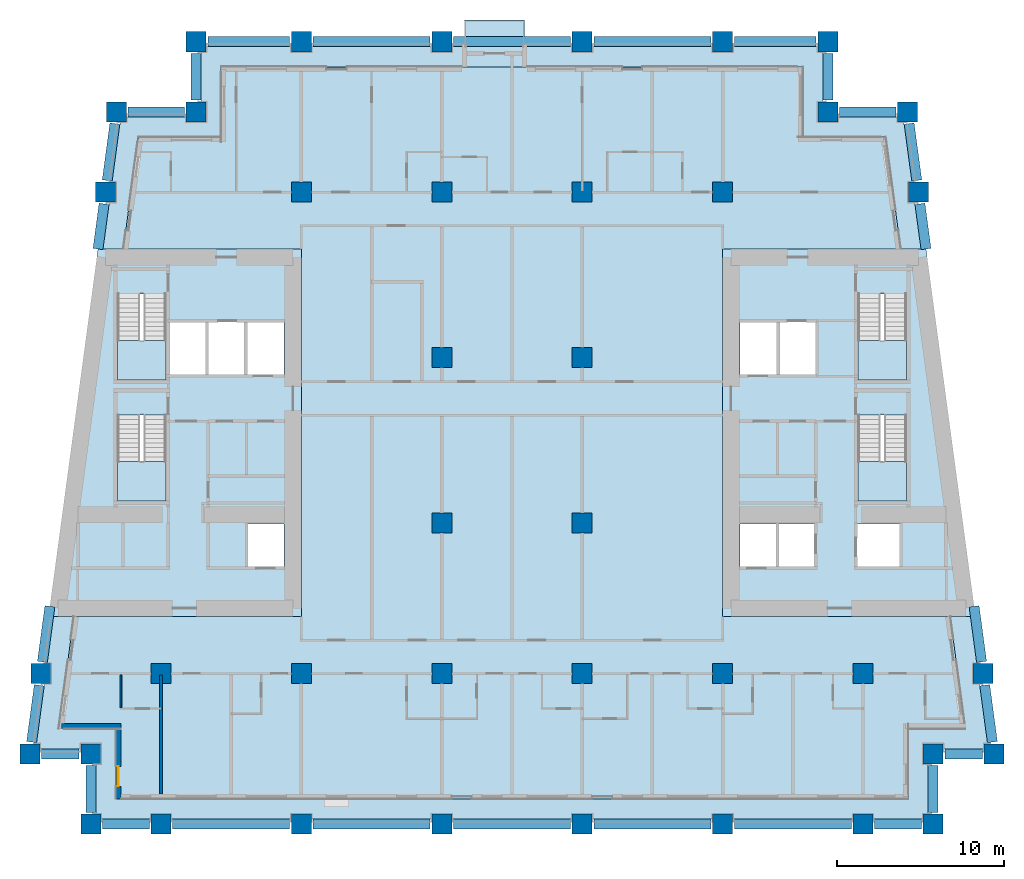
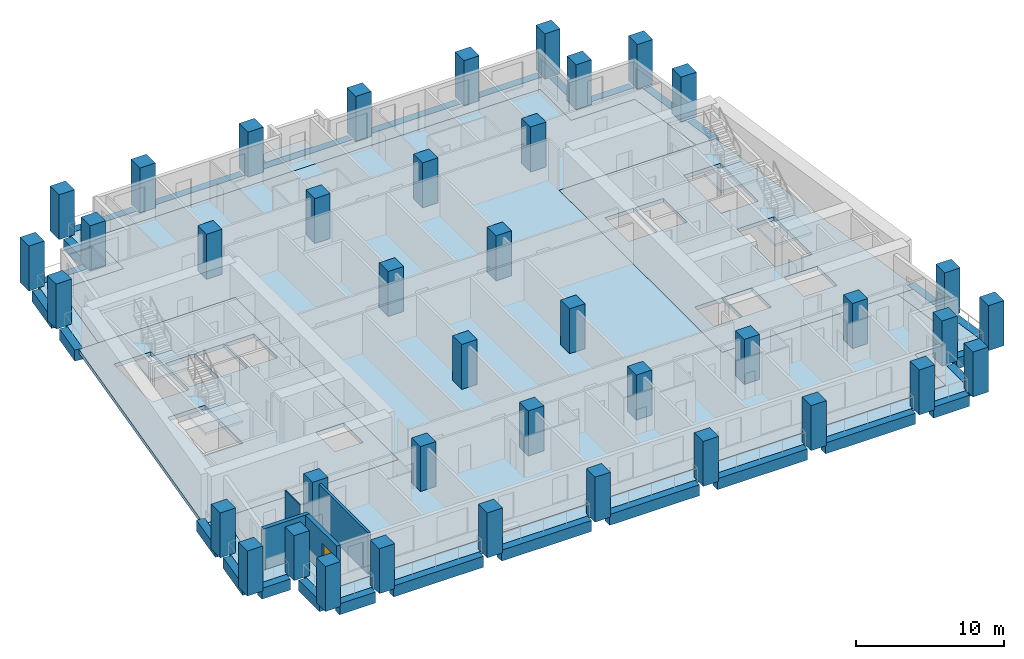
# One storey, part 1 of 13: 40 columns, 28 beams, 10 slabs, 4 walls, 1 door, 1 opening, 4 elements without a shape of their own.
"""IFC4 building model written with IfcOpenShell, lengths in metres."""

import ifcopenshell
import ifcopenshell.guid

model = None  # the IFC model being written
_history = None  # IfcOwnerHistory: only IFC2X3 demands one
_inside = {}  # id of a spatial element -> (the spatial element, [elements in it])
_under = {}  # id of a project, library or spatial element -> (it, [spatial elements below it])
_declared = {}  # id of a project -> (the project, [libraries it declares])
_typed = {}  # id of a type object -> (the type object, [elements of that type])
_made_of = {}  # id of a material, layer set ... -> (it, [elements and type objects made of it])


def new_model(schema):
    """Start an empty IFC model of exactly this schema.

    Asked for "IFC4X3", IfcOpenShell would pick the latest addendum, in which some entities
    have other attributes; the version numbers below select the first issue.
    IFC2X3 requires an IfcOwnerHistory on every rooted entity: one is made here for all.
    """
    global model, _history
    if schema == "IFC4X3":
        model = ifcopenshell.file(schema_version=(4, 3, 0, 0))
    else:
        model = ifcopenshell.file(schema=schema)
    _inside.clear()
    _under.clear()
    _declared.clear()
    _typed.clear()
    _made_of.clear()
    _history = None
    if model.schema == "IFC2X3":
        org = make("IfcOrganization", Name="unknown")
        user = make(
            "IfcPersonAndOrganization",
            ThePerson=make("IfcPerson", FamilyName="unknown"),
            TheOrganization=org,
        )
        app = make(
            "IfcApplication",
            ApplicationDeveloper=org,
            Version="unknown",
            ApplicationFullName="unknown",
            ApplicationIdentifier="unknown",
        )
        _history = make(
            "IfcOwnerHistory",
            OwningUser=user,
            OwningApplication=app,
            ChangeAction="ADDED",
            CreationDate=0,
        )
    return model


def make(cls, **values):
    """One entity of the class cls with the attributes given. An attribute that is None is left unset."""
    return model.create_entity(
        cls, **{name: value for name, value in values.items() if value is not None}
    )


def rooted(cls, **values):
    """An entity with a GlobalId (a new one), such as an element, a storey or a relation."""
    return make(cls, GlobalId=ifcopenshell.guid.new(), OwnerHistory=_history, **values)


def si_unit(unit_type, name, prefix=None):
    """IfcSIUnit, for example si_unit("LENGTHUNIT", "METRE", prefix="MILLI")."""
    return make("IfcSIUnit", UnitType=unit_type, Prefix=prefix, Name=name)


def assignment(units):
    """IfcUnitAssignment: the units of a project."""
    return None if units is None else make("IfcUnitAssignment", Units=units)


def point(xyz):
    """IfcCartesianPoint."""
    return None if xyz is None else make("IfcCartesianPoint", Coordinates=xyz)


def direction(xyz):
    """IfcDirection."""
    return None if xyz is None else make("IfcDirection", DirectionRatios=xyz)


def frame(location, z_axis=None, x_axis=None):
    """IfcAxis2Placement3D, a coordinate frame: its origin and axes. An axis left out is left unset."""
    return make(
        "IfcAxis2Placement3D",
        Location=point(location),
        Axis=direction(z_axis),
        RefDirection=direction(x_axis),
    )


def frame_2d(location, x_axis=None):
    """IfcAxis2Placement2D, a coordinate frame in the plane: its origin and x axis."""
    return make(
        "IfcAxis2Placement2D", Location=point(location), RefDirection=direction(x_axis)
    )


def origin():
    """The frame at (0, 0, 0) with its axes left unset."""
    return frame((0.0, 0.0, 0.0))


def origin_2d():
    """The frame at (0, 0) in the plane with its x axis left unset."""
    return frame_2d((0.0, 0.0))


def place(relative_to, where):
    """IfcLocalPlacement: puts the frame where relative to a parent placement (None: the world)."""
    return make(
        "IfcLocalPlacement", PlacementRelTo=relative_to, RelativePlacement=where
    )


def context(
    kind, dimensions, precision=None, world=None, true_north=None, identifier=None
):
    """IfcGeometricRepresentationContext, for example the 3D "Model" context."""
    return make(
        "IfcGeometricRepresentationContext",
        ContextIdentifier=identifier,
        ContextType=kind,
        CoordinateSpaceDimension=dimensions,
        Precision=precision,
        WorldCoordinateSystem=world,
        TrueNorth=true_north,
    )


def subcontext(parent, identifier, kind, view, scale=None):
    """IfcGeometricRepresentationSubContext, for example "Body" below "Model"."""
    return make(
        "IfcGeometricRepresentationSubContext",
        ContextIdentifier=identifier,
        ContextType=kind,
        ParentContext=parent,
        TargetScale=scale,
        TargetView=view,
    )


def project(units=None, contexts=None):
    """IfcProject with its units and contexts."""
    return rooted(
        "IfcProject",
        Name="project",
        RepresentationContexts=contexts,
        UnitsInContext=assignment(units),
    )


def spatial(cls, under=None, at=None, **own):
    """A site, building, storey or space (cls), placed at a placement, below another one or the project."""
    s = rooted(cls, ObjectPlacement=at, **own)
    if under is not None:
        _under.setdefault(under.id(), (under, []))[1].append(s)
    return s


def polyline(points):
    """IfcPolyline through the points."""
    return make("IfcPolyline", Points=[point(p) for p in points])


def profile(cls, at=None, kind="AREA", **sizes):
    """A parametric profile (cls). Its sizes go by their IFC names, for example OverallWidth=200.0."""
    return make(cls, ProfileType=kind, Position=at, **sizes)


def rectangle(**sizes):
    """IfcRectangleProfileDef."""
    return profile("IfcRectangleProfileDef", **sizes)


def outline(outer, holes=None, kind="AREA"):
    """IfcArbitraryClosedProfileDef: a profile drawn as a closed curve; with holes, ...WithVoids."""
    if holes is None:
        return make("IfcArbitraryClosedProfileDef", ProfileType=kind, OuterCurve=outer)
    return make(
        "IfcArbitraryProfileDefWithVoids",
        ProfileType=kind,
        OuterCurve=outer,
        InnerCurves=holes,
    )


def extrude(swept, where, along, depth):
    """IfcExtrudedAreaSolid: the profile swept, set in the frame where, extruded along a direction by depth."""
    return make(
        "IfcExtrudedAreaSolid",
        SweptArea=swept,
        Position=where,
        ExtrudedDirection=direction(along),
        Depth=depth,
    )


def shape(context_of_items, identifier, shape_type, items):
    """IfcShapeRepresentation: the items that make up one representation, for example the "Body"."""
    return make(
        "IfcShapeRepresentation",
        ContextOfItems=context_of_items,
        RepresentationIdentifier=identifier,
        RepresentationType=shape_type,
        Items=items,
    )


def material(Name=None, Category=None):
    """IfcMaterial."""
    return make("IfcMaterial", Name=Name, Category=Category)


def layer(
    of_material, thickness, ventilated=None, Name=None, Category=None, Priority=None
):
    """IfcMaterialLayer: one layer of a wall or slab, of a material (None: an air gap)."""
    return make(
        "IfcMaterialLayer",
        Material=of_material,
        LayerThickness=thickness,
        IsVentilated=ventilated,
        Name=Name,
        Category=Category,
        Priority=Priority,
    )


def layer_set(layers, Name=None):
    """IfcMaterialLayerSet."""
    return make("IfcMaterialLayerSet", MaterialLayers=layers, LayerSetName=Name)


def material_profile(
    of_material, cross_section, Name=None, Category=None, Priority=None
):
    """IfcMaterialProfile: a cross section and its material."""
    return make(
        "IfcMaterialProfile",
        Name=Name,
        Material=of_material,
        Profile=cross_section,
        Priority=Priority,
        Category=Category,
    )


def profile_set(profiles, Name=None, composite=None):
    """IfcMaterialProfileSet."""
    return make(
        "IfcMaterialProfileSet",
        Name=Name,
        MaterialProfiles=profiles,
        CompositeProfile=composite,
    )


def made_of(thing, what):
    """Note that an element or type object is made of a material, layer set ...; save() writes the relation."""
    if what is not None:
        _made_of.setdefault(what.id(), (what, []))[1].append(thing)
    return thing


def type_object(cls, material=None, **own):
    """A type object (cls), such as IfcWallType, which elements share."""
    return made_of(rooted(cls, **own), material)


def element(
    cls,
    number,
    at=None,
    inside=None,
    cuts=None,
    type_object=None,
    material=None,
    context=None,
    identifier="Body",
    shape_type=None,
    held_by="IfcProductDefinitionShape",
    body=None,
    shapes=None,
    **own,
):
    """One element of the class cls, such as IfcWall. Its Tag is "e" and its number.

    at: its placement. inside: the storey or other place that contains it. cuts: it is an
    opening in that element (IfcRelVoidsElement). A single representation is given by context,
    identifier, shape_type and body (its items); several are given by shapes. held_by: the class
    of the entity that holds the representations. save() writes the other relations.
    """
    e = rooted(cls, Tag="e%d" % number, ObjectPlacement=at, **own)
    if body is not None:
        shapes = [shape(context, identifier, shape_type, body)]
    if shapes is not None:
        e.Representation = make(held_by, Representations=shapes)
    if inside is not None:
        _inside.setdefault(inside.id(), (inside, []))[1].append(e)
    if cuts is not None:
        rooted(
            "IfcRelVoidsElement", RelatingBuildingElement=cuts, RelatedOpeningElement=e
        )
    if type_object is not None:
        _typed.setdefault(type_object.id(), (type_object, []))[1].append(e)
    return made_of(e, material)


def fill(opening, filler):
    """IfcRelFillsElement: the door or window that sits in an opening."""
    return rooted(
        "IfcRelFillsElement",
        RelatingOpeningElement=opening,
        RelatedBuildingElement=filler,
    )


def aggregate(whole, parts):
    """IfcRelAggregates: a whole, such as a stair, and the parts it consists of."""
    return rooted("IfcRelAggregates", RelatingObject=whole, RelatedObjects=parts)


def save(model, path):
    """Write the relations noted so far, then the file.

    IfcRelAggregates (storeys below a building ...), IfcRelContainedInSpatialStructure (elements
    in a storey), IfcRelDefinesByType, IfcRelAssociatesMaterial and IfcRelDeclares: one each for
    every whole, place, type object, material and project.
    """
    for whole, parts in _under.values():
        aggregate(whole, parts)
    for where, things in _inside.values():
        rooted(
            "IfcRelContainedInSpatialStructure",
            RelatedElements=things,
            RelatingStructure=where,
        )
    for kind, things in _typed.values():
        rooted("IfcRelDefinesByType", RelatedObjects=things, RelatingType=kind)
    for what, things in _made_of.values():
        rooted("IfcRelAssociatesMaterial", RelatedObjects=things, RelatingMaterial=what)
    for by, libraries in _declared.values():
        rooted("IfcRelDeclares", RelatingContext=by, RelatedDefinitions=libraries)
    model.write(path)


model = new_model("IFC4")

# Units and contexts
model_context = context("Model", 3, precision=1e-05, world=origin(), true_north=direction((0.0, 1.0)))
body_context = subcontext(model_context, "Body", "Model", "MODEL_VIEW")
ifc_project = project(units=[si_unit("LENGTHUNIT", "METRE"), si_unit("AREAUNIT", "SQUARE_METRE"), si_unit("VOLUMEUNIT", "CUBIC_METRE"), si_unit("PLANEANGLEUNIT", "RADIAN"), si_unit("MASSUNIT", "GRAM", prefix="KILO")], contexts=[model_context])

# Site, building, storey
site_placement = place(None, origin())
site = spatial("IfcSite", under=ifc_project, at=site_placement, CompositionType="ELEMENT")
building_placement = place(site_placement, origin())
building = spatial("IfcBuilding", under=site, at=building_placement, Name="Candeia Pilgrim Tower and Theatre", CompositionType="ELEMENT")
storey_placement = place(building_placement, frame((0.0, 0.0, 91.0)))
storey = spatial("IfcBuildingStorey", under=building, at=storey_placement, Name="L20", CompositionType="ELEMENT", Elevation=91.0)

# Columns
ifc_material_1 = material(Name="Concrete C70/85", Category="concrete")
ifc_material_profile_1 = material_profile(ifc_material_1, rectangle(XDim=1.199951171875, YDim=1.199951171875, at=origin_2d()))
ifc_profile_set_1 = profile_set([ifc_material_profile_1], Name="Concrete C70/85")
column_type = type_object("IfcColumnType", Name="RC 1200x1200 C70/85", PredefinedType="COLUMN", material=ifc_profile_set_1)
for number, where, z_axis, x_axis, name in (
    (1, (92.39990234375, 98.0, 0.0), (0.0, 0.0, 1.0), (1.0, 0.0, 0.0), "Column A1"),
    (2, (100.800048828125, 98.0, 0.0), (0.0, 0.0, 1.0), (1.0, 0.0, 0.0), "Column A2"),
    (3, (109.199951171875, 98.0, 0.0), (0.0, 0.0, 1.0), (1.0, 0.0, 0.0), "Column A3"),
    (4, (117.60009765625, 98.0, 0.0), (0.0, 0.0, 1.0), (1.0, 0.0, 0.0), "Column A4"),
    (5, (126.0, 98.0, 0.0), (0.0, 0.0, 1.0), (1.0, 0.0, 0.0), "Column A5"),
    (6, (134.39990234375, 98.0, 0.0), (0.0, 0.0, 1.0), (1.0, 0.0, 0.0), "Column A6"),
    (7, (88.199951171875, 98.0, 0.0), (0.0, 0.0, 1.0), (1.0, 0.0, 0.0), "Column AW"),
    (8, (138.60009765625, 98.0, 0.0), (0.0, 0.0, 1.0), (1.0, 0.0, 0.0), "Column AE"),
    (9, (88.199951171875, 102.199951171875, 0.0), (0.0, 0.0, 1.0), (1.0, 0.0, 0.0), "Column NSW"),
    (10, (138.60009765625, 102.199951171875, 0.0), (0.0, 0.0, 1.0), (1.0, 0.0, 0.0), "Column NSE"),
    (11, (94.5, 140.60009765625, 0.0), (0.0, 0.0, 1.0), (1.0, 0.0, 0.0), "Column NNW"),
    (12, (132.300048828125, 140.60009765625, 0.0), (0.0, 0.0, 1.0), (1.0, 0.0, 0.0), "Column NNE"),
    (13, (84.5654296875, 102.199951171875, 0.0), (0.0, 0.0, 1.0), (1.0, 0.0, 0.0), "Column LSW"),
    (14, (142.234619140625, 102.199951171875, 0.0), (0.0, 0.0, 1.0), (1.0, 0.0, 0.0), "Column LSE"),
    (15, (89.734619140625, 140.60009765625, 0.0), (0.0, 0.0, 1.0), (1.0, 0.0, 0.0), "Column LNW"),
    (16, (137.0654296875, 140.60009765625, 0.0), (0.0, 0.0, 1.0), (1.0, 0.0, 0.0), "Column LNE"),
    (17, (92.39990234375, 107.0, 0.0), (0.0, 0.0, 1.0), (1.0, 0.0, 0.0), "Column B1"),
    (18, (100.800048828125, 107.0, 0.0), (0.0, 0.0, 1.0), (1.0, 0.0, 0.0), "Column B2"),
    (19, (109.199951171875, 107.0, 0.0), (0.0, 0.0, 1.0), (1.0, 0.0, 0.0), "Column B3"),
    (20, (117.60009765625, 107.0, 0.0), (0.0, 0.0, 1.0), (1.0, 0.0, 0.0), "Column B4"),
    (21, (126.0, 107.0, 0.0), (0.0, 0.0, 1.0), (1.0, 0.0, 0.0), "Column B5"),
    (22, (134.39990234375, 107.0, 0.0), (0.0, 0.0, 1.0), (1.0, 0.0, 0.0), "Column B6"),
    (23, (85.21142578125, 107.0, 0.0), (0.0, 0.0, 1.0), (1.0, 0.0, 0.0), "Column BW"),
    (24, (141.58837890625, 107.0, 0.0), (0.0, 0.0, 1.0), (1.0, 0.0, 0.0), "Column BE"),
    (25, (109.199951171875, 116.0, 0.0), (0.0, 0.0, 1.0), (1.0, 0.0, 0.0), "Column C3"),
    (26, (117.60009765625, 116.0, 0.0), (0.0, 0.0, 1.0), (1.0, 0.0, 0.0), "Column C4"),
    (27, (109.199951171875, 125.89990234375, 0.0), (0.0, 0.0, 1.0), (1.0, 0.0, 0.0), "Column D3"),
    (28, (117.60009765625, 125.89990234375, 0.0), (0.0, 0.0, 1.0), (1.0, 0.0, 0.0), "Column D4"),
    (29, (100.800048828125, 135.800048828125, 0.0), (0.0, 0.0, 1.0), (1.0, 0.0, 0.0), "Column E2"),
    (30, (109.199951171875, 135.800048828125, 0.0), (0.0, 0.0, 1.0), (1.0, 0.0, 0.0), "Column E3"),
    (31, (117.60009765625, 135.800048828125, 0.0), (0.0, 0.0, 1.0), (1.0, 0.0, 0.0), "Column E4"),
    (32, (126.0, 135.800048828125, 0.0), (0.0, 0.0, 1.0), (1.0, 0.0, 0.0), "Column E5"),
    (33, (89.08837890625, 135.800048828125, 0.0), (0.0, 0.0, 1.0), (1.0, 0.0, 0.0), "Column EW"),
    (34, (137.71142578125, 135.800048828125, 0.0), (0.0, 0.0, 1.0), (1.0, 0.0, 0.0), "Column EE"),
    (35, (100.800048828125, 144.800048828125, 0.0), (0.0, 0.0, 1.0), (1.0, 0.0, 0.0), "Column F2"),
    (36, (109.199951171875, 144.800048828125, 0.0), (0.0, 0.0, 1.0), (1.0, 0.0, 0.0), "Column F3"),
    (37, (117.60009765625, 144.800048828125, 0.0), (0.0, 0.0, 1.0), (1.0, 0.0, 0.0), "Column F4"),
    (38, (126.0, 144.800048828125, 0.0), (0.0, 0.0, 1.0), (1.0, 0.0, 0.0), "Column F5"),
    (39, (94.5, 144.800048828125, 0.0), (0.0, 0.0, 1.0), (1.0, 0.0, 0.0), "Column FW"),
    (40, (132.300048828125, 144.800048828125, 0.0), (0.0, 0.0, 1.0), (1.0, 0.0, 0.0), "Column FE"),
):
    element("IfcColumn", number, at=place(storey_placement, frame(where, z_axis=z_axis, x_axis=x_axis)), inside=storey, type_object=column_type, Name=name, PredefinedType="COLUMN", context=body_context, shape_type="SweptSolid", body=[
        extrude(rectangle(XDim=1.199951171875, YDim=1.199951171875, at=origin_2d()), origin(), (0.0, 0.0, 1.0), 3.699951171875),
    ])

# Beams
ifc_material_profile_2 = material_profile(ifc_material_1, rectangle(XDim=0.60009765625, YDim=0.89990234375, at=origin_2d()))
ifc_profile_set_2 = profile_set([ifc_material_profile_2], Name="Concrete C70/85")
beam_type = type_object("IfcBeamType", Name="RC 600x900 C70/85", PredefinedType="BEAM", material=ifc_profile_set_2)
beam_1_placement = place(storey_placement, frame((88.89990234375, 98.0, -0.449951171875), z_axis=(1.0, 0.0, 0.0), x_axis=(0.0, 1.0, 0.0)))
element("IfcBeam", 41, at=beam_1_placement, inside=storey, type_object=beam_type, Name="Spandrel beam L20-01", PredefinedType="BEAM", context=body_context, shape_type="SweptSolid", body=[
    extrude(rectangle(XDim=0.60009765625, YDim=0.89990234375, at=origin_2d()), origin(), (0.0, 0.0, 1.0), 2.800048828125),
])
for number, where, z_axis, x_axis, name in (
    (42, (93.10009765625, 98.0, -0.449951171875), (1.0, 0.0, 0.0), (0.0, 1.0, 0.0), "Spandrel beam L20-02"),
    (43, (101.5, 98.0, -0.449951171875), (1.0, 0.0, 0.0), (0.0, 1.0, 0.0), "Spandrel beam L20-03"),
    (44, (109.89990234375, 98.0, -0.449951171875), (1.0, 0.0, 0.0), (0.0, 1.0, 0.0), "Spandrel beam L20-04"),
    (45, (118.300048828125, 98.0, -0.449951171875), (1.0, 0.0, 0.0), (0.0, 1.0, 0.0), "Spandrel beam L20-05"),
    (46, (126.699951171875, 98.0, -0.449951171875), (1.0, 0.0, 0.0), (0.0, 1.0, 0.0), "Spandrel beam L20-06"),
):
    element("IfcBeam", number, at=place(storey_placement, frame(where, z_axis=z_axis, x_axis=x_axis)), inside=storey, type_object=beam_type, Name=name, PredefinedType="BEAM", context=body_context, shape_type="SweptSolid", body=[
        extrude(rectangle(XDim=0.60009765625, YDim=0.89990234375, at=origin_2d()), origin(), (0.0, 0.0, 1.0), 7.0),
    ])
beam_2_placement = place(storey_placement, frame((135.10009765625, 98.0, -0.449951171875), z_axis=(1.0, 0.0, 0.0), x_axis=(0.0, 1.0, 0.0)))
element("IfcBeam", 47, at=beam_2_placement, inside=storey, type_object=beam_type, Name="Spandrel beam L20-07", PredefinedType="BEAM", context=body_context, shape_type="SweptSolid", body=[
    extrude(rectangle(XDim=0.60009765625, YDim=0.89990234375, at=origin_2d()), origin(), (0.0, 0.0, 1.0), 2.7998046875),
])
beam_3_placement = place(storey_placement, frame((138.60009765625, 98.699951171875, -0.449951171875), z_axis=(0.0, 1.0, 0.0), x_axis=(-1.0, 0.0, 0.0)))
element("IfcBeam", 48, at=beam_3_placement, inside=storey, type_object=beam_type, Name="Spandrel beam L20-08", PredefinedType="BEAM", context=body_context, shape_type="SweptSolid", body=[
    extrude(rectangle(XDim=0.60009765625, YDim=0.89990234375, at=origin_2d()), origin(), (0.0, 0.0, 1.0), 2.800048828125),
])
beam_4_placement = place(storey_placement, frame((139.300048828125, 102.199951171875, -0.449951171875), z_axis=(1.0, 0.0, 0.0), x_axis=(0.0, 1.0, 0.0)))
element("IfcBeam", 49, at=beam_4_placement, inside=storey, type_object=beam_type, Name="Spandrel beam L20-09", PredefinedType="BEAM", context=body_context, shape_type="SweptSolid", body=[
    extrude(rectangle(XDim=0.60009765625, YDim=0.89990234375, at=origin_2d()), origin(), (0.0, 0.0, 1.0), 2.234619140625),
])
beam_5_placement = place(storey_placement, frame((142.140380859375, 102.89990234375, -0.449951171875), z_axis=(-0.133426797477, 0.991058671177, 0.0), x_axis=(-0.991058671177, -0.133426797477, 0.0)))
element("IfcBeam", 50, at=beam_5_placement, inside=storey, type_object=beam_type, Name="Spandrel beam L20-10", PredefinedType="BEAM", context=body_context, shape_type="SweptSolid", body=[
    extrude(rectangle(XDim=0.60009765625, YDim=0.89990234375, at=origin_2d()), origin(), (0.0, 0.0, 1.0), 3.430908203125),
])
beam_6_placement = place(storey_placement, frame((141.494140625, 107.699951171875, -0.449951171875), z_axis=(-0.13337488337, 0.991065659019, 0.0), x_axis=(-0.991065659019, -0.13337488337, 0.0)))
element("IfcBeam", 51, at=beam_6_placement, inside=storey, type_object=beam_type, Name="Spandrel beam L20-11", PredefinedType="BEAM", context=body_context, shape_type="SweptSolid", body=[
    extrude(rectangle(XDim=0.60009765625, YDim=0.89990234375, at=origin_2d()), origin(), (0.0, 0.0, 1.0), 3.353515625),
])
beam_7_placement = place(storey_placement, frame((138.169189453125, 132.39990234375, -0.449951171875), z_axis=(-0.133425552527, 0.991058838784, 0.0), x_axis=(-0.991058838784, -0.133425552527, 0.0)))
element("IfcBeam", 52, at=beam_7_placement, inside=storey, type_object=beam_type, Name="Spandrel beam L20-12", PredefinedType="BEAM", context=body_context, shape_type="SweptSolid", body=[
    extrude(rectangle(XDim=0.60009765625, YDim=0.89990234375, at=origin_2d()), origin(), (0.0, 0.0, 1.0), 2.724609375),
])
beam_8_placement = place(storey_placement, frame((137.6171875, 136.5, -0.449951171875), z_axis=(-0.13336630817, 0.991066813008, 0.0), x_axis=(-0.991066813008, -0.13336630817, 0.0)))
element("IfcBeam", 53, at=beam_8_placement, inside=storey, type_object=beam_type, Name="Spandrel beam L20-13", PredefinedType="BEAM", context=body_context, shape_type="SweptSolid", body=[
    extrude(rectangle(XDim=0.60009765625, YDim=0.89990234375, at=origin_2d()), origin(), (0.0, 0.0, 1.0), 3.4306640625),
])
beam_9_placement = place(storey_placement, frame((136.365478515625, 140.60009765625, -0.449951171875), z_axis=(-1.0, 0.0, 0.0), x_axis=(0.0, -1.0, 0.0)))
element("IfcBeam", 54, at=beam_9_placement, inside=storey, type_object=beam_type, Name="Spandrel beam L20-14", PredefinedType="BEAM", context=body_context, shape_type="SweptSolid", body=[
    extrude(rectangle(XDim=0.60009765625, YDim=0.89990234375, at=origin_2d()), origin(), (0.0, 0.0, 1.0), 3.365478515625),
])
beam_10_placement = place(storey_placement, frame((132.300048828125, 141.300048828125, -0.449951171875), z_axis=(0.0, 1.0, 0.0), x_axis=(-1.0, 0.0, 0.0)))
element("IfcBeam", 55, at=beam_10_placement, inside=storey, type_object=beam_type, Name="Spandrel beam L20-15", PredefinedType="BEAM", context=body_context, shape_type="SweptSolid", body=[
    extrude(rectangle(XDim=0.60009765625, YDim=0.89990234375, at=origin_2d()), origin(), (0.0, 0.0, 1.0), 2.800048828125),
])
beam_11_placement = place(storey_placement, frame((131.60009765625, 144.800048828125, -0.449951171875), z_axis=(-1.0, 0.0, 0.0), x_axis=(0.0, -1.0, 0.0)))
element("IfcBeam", 56, at=beam_11_placement, inside=storey, type_object=beam_type, Name="Spandrel beam L20-16", PredefinedType="BEAM", context=body_context, shape_type="SweptSolid", body=[
    extrude(rectangle(XDim=0.60009765625, YDim=0.89990234375, at=origin_2d()), origin(), (0.0, 0.0, 1.0), 4.900146484375),
])
for number, where, z_axis, x_axis, name in (
    (57, (125.300048828125, 144.800048828125, -0.449951171875), (-1.0, 0.0, 0.0), (0.0, -1.0, 0.0), "Spandrel beam L20-17"),
    (58, (116.89990234375, 144.800048828125, -0.449951171875), (-1.0, 0.0, 0.0), (0.0, -1.0, 0.0), "Spandrel beam L20-18"),
    (59, (108.5, 144.800048828125, -0.449951171875), (-1.0, 0.0, 0.0), (0.0, -1.0, 0.0), "Spandrel beam L20-19"),
):
    element("IfcBeam", number, at=place(storey_placement, frame(where, z_axis=z_axis, x_axis=x_axis)), inside=storey, type_object=beam_type, Name=name, PredefinedType="BEAM", context=body_context, shape_type="SweptSolid", body=[
        extrude(rectangle(XDim=0.60009765625, YDim=0.89990234375, at=origin_2d()), origin(), (0.0, 0.0, 1.0), 7.0),
    ])
beam_12_placement = place(storey_placement, frame((100.10009765625, 144.800048828125, -0.449951171875), z_axis=(-1.0, 0.0, 0.0), x_axis=(0.0, -1.0, 0.0)))
element("IfcBeam", 60, at=beam_12_placement, inside=storey, type_object=beam_type, Name="Spandrel beam L20-20", PredefinedType="BEAM", context=body_context, shape_type="SweptSolid", body=[
    extrude(rectangle(XDim=0.60009765625, YDim=0.89990234375, at=origin_2d()), origin(), (0.0, 0.0, 1.0), 4.900146484375),
])
beam_13_placement = place(storey_placement, frame((94.5, 144.10009765625, -0.449951171875), z_axis=(0.0, -1.0, 0.0), x_axis=(1.0, 0.0, 0.0)))
element("IfcBeam", 61, at=beam_13_placement, inside=storey, type_object=beam_type, Name="Spandrel beam L20-21", PredefinedType="BEAM", context=body_context, shape_type="SweptSolid", body=[
    extrude(rectangle(XDim=0.60009765625, YDim=0.89990234375, at=origin_2d()), origin(), (0.0, 0.0, 1.0), 2.800048828125),
])
beam_14_placement = place(storey_placement, frame((93.800048828125, 140.60009765625, -0.449951171875), z_axis=(-1.0, 0.0, 0.0), x_axis=(0.0, -1.0, 0.0)))
element("IfcBeam", 62, at=beam_14_placement, inside=storey, type_object=beam_type, Name="Spandrel beam L20-22", PredefinedType="BEAM", context=body_context, shape_type="SweptSolid", body=[
    extrude(rectangle(XDim=0.60009765625, YDim=0.89990234375, at=origin_2d()), origin(), (0.0, 0.0, 1.0), 3.365478515625),
])
beam_15_placement = place(storey_placement, frame((89.640380859375, 139.89990234375, -0.449951171875), z_axis=(-0.133436208017, -0.991057404185, 0.0), x_axis=(0.991057404185, -0.133436208017, 0.0)))
element("IfcBeam", 63, at=beam_15_placement, inside=storey, type_object=beam_type, Name="Spandrel beam L20-23", PredefinedType="BEAM", context=body_context, shape_type="SweptSolid", body=[
    extrude(rectangle(XDim=0.60009765625, YDim=0.89990234375, at=origin_2d()), origin(), (0.0, 0.0, 1.0), 3.4306640625),
])
beam_16_placement = place(storey_placement, frame((88.994140625, 135.10009765625, -0.449951171875), z_axis=(-0.133337538686, -0.991070684047, 0.0), x_axis=(0.991070684047, -0.133337538686, 0.0)))
element("IfcBeam", 64, at=beam_16_placement, inside=storey, type_object=beam_type, Name="Spandrel beam L20-24", PredefinedType="BEAM", context=body_context, shape_type="SweptSolid", body=[
    extrude(rectangle(XDim=0.60009765625, YDim=0.89990234375, at=origin_2d()), origin(), (0.0, 0.0, 1.0), 2.724609375),
])
beam_17_placement = place(storey_placement, frame((85.753173828125, 111.0234375, -0.449951171875), z_axis=(-0.133446390132, -0.991056033209, 0.0), x_axis=(0.991056033209, -0.133446390132, 0.0)))
element("IfcBeam", 65, at=beam_17_placement, inside=storey, type_object=beam_type, Name="Spandrel beam L20-25", PredefinedType="BEAM", context=body_context, shape_type="SweptSolid", body=[
    extrude(rectangle(XDim=0.60009765625, YDim=0.89990234375, at=origin_2d()), origin(), (0.0, 0.0, 1.0), 3.353515625),
])
beam_18_placement = place(storey_placement, frame((85.1171875, 106.300048828125, -0.449951171875), z_axis=(-0.133356902381, -0.991068078685, 0.0), x_axis=(0.991068078685, -0.133356902381, 0.0)))
element("IfcBeam", 66, at=beam_18_placement, inside=storey, type_object=beam_type, Name="Spandrel beam L20-26", PredefinedType="BEAM", context=body_context, shape_type="SweptSolid", body=[
    extrude(rectangle(XDim=0.60009765625, YDim=0.89990234375, at=origin_2d()), origin(), (0.0, 0.0, 1.0), 3.430908203125),
])
beam_19_placement = place(storey_placement, frame((85.265380859375, 102.199951171875, -0.449951171875), z_axis=(1.0, 0.0, 0.0), x_axis=(0.0, 1.0, 0.0)))
element("IfcBeam", 67, at=beam_19_placement, inside=storey, type_object=beam_type, Name="Spandrel beam L20-27", PredefinedType="BEAM", context=body_context, shape_type="SweptSolid", body=[
    extrude(rectangle(XDim=0.60009765625, YDim=0.89990234375, at=origin_2d()), origin(), (0.0, 0.0, 1.0), 2.234619140625),
])
beam_20_placement = place(storey_placement, frame((88.199951171875, 101.5, -0.449951171875), z_axis=(0.0, -1.0, 0.0), x_axis=(1.0, 0.0, 0.0)))
element("IfcBeam", 68, at=beam_20_placement, inside=storey, type_object=beam_type, Name="Spandrel beam L20-28", PredefinedType="BEAM", context=body_context, shape_type="SweptSolid", body=[
    extrude(rectangle(XDim=0.60009765625, YDim=0.89990234375, at=origin_2d()), origin(), (0.0, 0.0, 1.0), 2.800048828125),
])

# Slabs
ifc_material_2 = material(Name="Concrete C40/50", Category="concrete")
ifc_layer_1 = layer(ifc_material_2, 0.25)
ifc_layer_set_1 = layer_set([ifc_layer_1], Name="BK1 balcony slab 250")
slab_type_1 = type_object("IfcSlabType", Name="BK1 balcony slab 250", PredefinedType="USERDEFINED", material=ifc_layer_set_1)
slab_1_placement = place(storey_placement, frame((0.0, 0.0, -0.25)))
element("IfcSlab", 69, at=slab_1_placement, inside=storey, type_object=slab_type_1, Name="Balcony L20", ObjectType="BALCONY", PredefinedType="USERDEFINED", context=body_context, shape_type="SweptSolid", body=[
    extrude(outline(polyline([(110.550048828125, 144.5), (114.14990234375, 144.5), (114.14990234375, 146.10009765625), (110.550048828125, 146.10009765625), (110.550048828125, 144.5)])), origin(), (0.0, 0.0, 1.0), 0.25),
])
ifc_material_3 = material(Name="Concrete C60/75", Category="concrete")
ifc_layer_2 = layer(ifc_material_3, 0.320068359375)
ifc_layer_set_2 = layer_set([ifc_layer_2], Name="FS-CORE 320 core floor")
slab_type_2 = type_object("IfcSlabType", Name="FS-CORE 320 core floor", PredefinedType="FLOOR", material=ifc_layer_set_2)
slab_2_placement = place(storey_placement, frame((0.0, 0.0, -0.320068359375)))
element("IfcSlab", 70, at=slab_2_placement, inside=storey, type_object=slab_type_2, Name="Core floor W L20", PredefinedType="FLOOR", context=body_context, shape_type="SweptSolid", body=[
    extrude(outline(polyline([(100.800048828125, 132.39990234375), (100.800048828125, 110.39990234375), (85.669189453125, 110.39990234375), (88.630859375, 132.39990234375), (100.800048828125, 132.39990234375)]), holes=[polyline([(97.525634765625, 128.050048828125), (97.525634765625, 124.85009765625), (99.75, 124.85009765625), (99.75, 128.050048828125), (97.525634765625, 128.050048828125)]), polyline([(97.5634765625, 113.35009765625), (99.75, 113.35009765625), (99.75, 115.949951171875), (97.5634765625, 115.949951171875), (97.5634765625, 113.35009765625)]), polyline([(95.201416015625, 124.85009765625), (97.42578125, 124.85009765625), (97.42578125, 128.050048828125), (95.201416015625, 128.050048828125), (95.201416015625, 124.85009765625)]), polyline([(92.876953125, 128.050048828125), (92.876953125, 124.85009765625), (95.101318359375, 124.85009765625), (95.101318359375, 128.050048828125), (92.876953125, 128.050048828125)]), polyline([(89.802001953125, 122.455078125), (89.802001953125, 117.324951171875), (92.701904296875, 117.324951171875), (92.701904296875, 122.455078125), (89.802001953125, 122.455078125)]), polyline([(89.802001953125, 129.705078125), (89.802001953125, 124.574951171875), (92.701904296875, 124.574951171875), (92.701904296875, 129.705078125), (89.802001953125, 129.705078125)])]), origin(), (0.0, 0.0, 1.0), 0.320068359375),
])
slab_3_placement = place(storey_placement, frame((0.0, 0.0, -0.320068359375)))
element("IfcSlab", 71, at=slab_3_placement, inside=storey, type_object=slab_type_2, Name="Core floor E L20", PredefinedType="FLOOR", context=body_context, shape_type="SweptSolid", body=[
    extrude(outline(polyline([(138.169189453125, 132.39990234375), (141.130859375, 110.39990234375), (126.0, 110.39990234375), (126.0, 132.39990234375), (138.169189453125, 132.39990234375)]), holes=[polyline([(134.097900390625, 122.455078125), (134.097900390625, 117.324951171875), (136.998046875, 117.324951171875), (136.998046875, 122.455078125), (134.097900390625, 122.455078125)]), polyline([(134.097900390625, 129.705078125), (134.097900390625, 124.574951171875), (136.998046875, 124.574951171875), (136.998046875, 129.705078125), (134.097900390625, 129.705078125)]), polyline([(136.6220703125, 115.949951171875), (134.02294921875, 115.949951171875), (134.02294921875, 113.35009765625), (136.6220703125, 113.35009765625), (136.6220703125, 115.949951171875)]), polyline([(131.5986328125, 128.050048828125), (129.374267578125, 128.050048828125), (129.374267578125, 124.85009765625), (131.5986328125, 124.85009765625), (131.5986328125, 128.050048828125)]), polyline([(131.52294921875, 115.949951171875), (129.33642578125, 115.949951171875), (129.33642578125, 113.35009765625), (131.52294921875, 113.35009765625), (131.52294921875, 115.949951171875)]), polyline([(129.2744140625, 128.050048828125), (127.050048828125, 128.050048828125), (127.050048828125, 124.85009765625), (129.2744140625, 124.85009765625), (129.2744140625, 128.050048828125)]), polyline([(127.050048828125, 115.949951171875), (127.050048828125, 113.35009765625), (129.236572265625, 113.35009765625), (129.236572265625, 115.949951171875), (127.050048828125, 115.949951171875)])]), origin(), (0.0, 0.0, 1.0), 0.320068359375),
])
ifc_material_4 = material(Name="Concrete C50/60", Category="concrete")
ifc_layer_3 = layer(ifc_material_4, 0.320068359375)
ifc_layer_set_3 = layer_set([ifc_layer_3], Name="Floor slab 320 C50/60")
slab_type_3 = type_object("IfcSlabType", Name="Floor slab 320 C50/60", PredefinedType="FLOOR", material=ifc_layer_set_3)
slab_4_placement = place(storey_placement, frame((0.0, 0.0, -0.320068359375)))
element("IfcSlab", 72, at=slab_4_placement, inside=storey, type_object=slab_type_3, Name="Floor slab L20", PredefinedType="FLOOR", context=body_context, shape_type="SweptSolid", body=[
    extrude(outline(polyline([(96.0, 139.10009765625), (96.0, 143.300048828125), (130.800048828125, 143.300048828125), (130.800048828125, 139.10009765625), (135.753662109375, 139.10009765625), (136.65576171875, 132.39990234375), (126.0, 132.39990234375), (126.0, 110.39990234375), (139.6171875, 110.39990234375), (140.51904296875, 103.699951171875), (137.10009765625, 103.699951171875), (137.10009765625, 99.5), (89.699951171875, 99.5), (89.699951171875, 103.699951171875), (86.28076171875, 103.699951171875), (87.182861328125, 110.39990234375), (100.800048828125, 110.39990234375), (100.800048828125, 132.39990234375), (90.144287109375, 132.39990234375), (91.046142578125, 139.10009765625), (96.0, 139.10009765625)])), origin(), (0.0, 0.0, 1.0), 0.320068359375),
])
ifc_layer_4 = layer(ifc_material_2, 0.25)
ifc_layer_set_4 = layer_set([ifc_layer_4], Name="Loggia slab 250 C40/50")
slab_type_4 = type_object("IfcSlabType", Name="Loggia slab 250 C40/50", PredefinedType="FLOOR", material=ifc_layer_set_4)
slab_5_placement = place(storey_placement, frame((0.0, 0.0, -0.25)))
element("IfcSlab", 73, at=slab_5_placement, inside=storey, type_object=slab_type_4, Name="Loggia slab L20 1", PredefinedType="FLOOR", context=body_context, shape_type="SweptSolid", body=[
    extrude(outline(polyline([(87.182861328125, 110.39990234375), (86.28076171875, 103.699951171875), (89.699951171875, 103.699951171875), (89.699951171875, 99.5), (137.10009765625, 99.5), (137.10009765625, 103.699951171875), (140.51904296875, 103.699951171875), (139.6171875, 110.39990234375), (140.828125, 110.39990234375), (141.8916015625, 102.5), (138.300048828125, 102.5), (138.300048828125, 98.300048828125), (88.5, 98.300048828125), (88.5, 102.5), (84.908447265625, 102.5), (85.971923828125, 110.39990234375), (87.182861328125, 110.39990234375)])), origin(), (0.0, 0.0, 1.0), 0.25),
])
slab_6_placement = place(storey_placement, frame((0.0, 0.0, -0.25)))
element("IfcSlab", 74, at=slab_6_placement, inside=storey, type_object=slab_type_4, Name="Loggia slab L20 2", PredefinedType="FLOOR", context=body_context, shape_type="SweptSolid", body=[
    extrude(outline(polyline([(136.65576171875, 132.39990234375), (135.753662109375, 139.10009765625), (130.800048828125, 139.10009765625), (130.800048828125, 143.300048828125), (96.0, 143.300048828125), (96.0, 139.10009765625), (91.046142578125, 139.10009765625), (90.144287109375, 132.39990234375), (88.93359375, 132.39990234375), (89.996826171875, 140.300048828125), (94.800048828125, 140.300048828125), (94.800048828125, 144.5), (132.0, 144.5), (132.0, 140.300048828125), (136.802978515625, 140.300048828125), (137.866455078125, 132.39990234375), (136.65576171875, 132.39990234375)])), origin(), (0.0, 0.0, 1.0), 0.25),
])

# Stair, slab
stair_type = type_object("IfcStairType", Name="ST-TWR dog-leg escape stair", PredefinedType="HALF_TURN_STAIR", material=ifc_material_2)
stair_1_placement = place(storey_placement, origin())
stair_1 = element("IfcStair", 75, at=stair_1_placement, inside=storey, type_object=stair_type, Name="L20 Escape stair ST1", PredefinedType="HALF_TURN_STAIR")
ifc_layer_5 = layer(ifc_material_2, 0.199951171875)
ifc_layer_set_5 = layer_set([ifc_layer_5], Name="SL-LANDING stair landing")
slab_type_5 = type_object("IfcSlabType", Name="SL-LANDING stair landing", PredefinedType="LANDING", material=ifc_layer_set_5)
slab_7_placement = place(storey_placement, frame((0.0, 0.0, 1.64990234375)))
slab_7 = element("IfcSlab", 76, at=slab_7_placement, type_object=slab_type_5, Name="ST1 landing 1", PredefinedType="LANDING", context=body_context, shape_type="SweptSolid", body=[
    extrude(outline(polyline([(89.802001953125, 119.675048828125), (89.802001953125, 117.324951171875), (92.701904296875, 117.324951171875), (92.701904296875, 119.675048828125), (89.802001953125, 119.675048828125)])), origin(), (0.0, 0.0, 1.0), 0.2001953125),
])
aggregate(stair_1, [slab_7])

stair_2_placement = place(storey_placement, origin())
stair_2 = element("IfcStair", 77, at=stair_2_placement, inside=storey, type_object=stair_type, Name="L20 Escape stair ST2", PredefinedType="HALF_TURN_STAIR")
slab_8_placement = place(storey_placement, frame((0.0, 0.0, 1.64990234375)))
slab_8 = element("IfcSlab", 78, at=slab_8_placement, type_object=slab_type_5, Name="ST2 landing 1", PredefinedType="LANDING", context=body_context, shape_type="SweptSolid", body=[
    extrude(outline(polyline([(89.802001953125, 126.925048828125), (89.802001953125, 124.574951171875), (92.701904296875, 124.574951171875), (92.701904296875, 126.925048828125), (89.802001953125, 126.925048828125)])), origin(), (0.0, 0.0, 1.0), 0.2001953125),
])
aggregate(stair_2, [slab_8])

stair_3_placement = place(storey_placement, origin())
stair_3 = element("IfcStair", 79, at=stair_3_placement, inside=storey, type_object=stair_type, Name="L20 Escape stair ST3", PredefinedType="HALF_TURN_STAIR")
slab_9_placement = place(storey_placement, frame((0.0, 0.0, 1.64990234375)))
slab_9 = element("IfcSlab", 80, at=slab_9_placement, type_object=slab_type_5, Name="ST3 landing 1", PredefinedType="LANDING", context=body_context, shape_type="SweptSolid", body=[
    extrude(outline(polyline([(134.097900390625, 119.675048828125), (134.097900390625, 117.324951171875), (136.998046875, 117.324951171875), (136.998046875, 119.675048828125), (134.097900390625, 119.675048828125)])), origin(), (0.0, 0.0, 1.0), 0.2001953125),
])
aggregate(stair_3, [slab_9])

stair_4_placement = place(storey_placement, origin())
stair_4 = element("IfcStair", 81, at=stair_4_placement, inside=storey, type_object=stair_type, Name="L20 Escape stair ST4", PredefinedType="HALF_TURN_STAIR")
slab_10_placement = place(storey_placement, frame((0.0, 0.0, 1.64990234375)))
slab_10 = element("IfcSlab", 82, at=slab_10_placement, type_object=slab_type_5, Name="ST4 landing 1", PredefinedType="LANDING", context=body_context, shape_type="SweptSolid", body=[
    extrude(outline(polyline([(134.097900390625, 126.925048828125), (134.097900390625, 124.574951171875), (136.998046875, 124.574951171875), (136.998046875, 126.925048828125), (134.097900390625, 126.925048828125)])), origin(), (0.0, 0.0, 1.0), 0.2001953125),
])
aggregate(stair_4, [slab_10])

# Wall
ifc_material_5 = material(Name="Ceramic block masonry", Category="masonry")
ifc_layer_6 = layer(ifc_material_5, 0.300048828125)
ifc_layer_set_6 = layer_set([ifc_layer_6], Name="EW1 glazing-line wall 300")
wall_type_1 = type_object("IfcWallType", Name="EW1 glazing-line wall 300", PredefinedType="SOLIDWALL", material=ifc_layer_set_6)
wall_1_placement = place(storey_placement, frame((86.452392578125, 103.85009765625, 0.0), z_axis=(0.0, 0.0, 1.0), x_axis=(1.0, 0.0, 0.0)))
element("IfcWall", 83, at=wall_1_placement, inside=storey, type_object=wall_type_1, Name="External wall L20-10.0", PredefinedType="SOLIDWALL", context=body_context, shape_type="SweptSolid", body=[
    extrude(rectangle(XDim=3.547607421875, YDim=0.300048828125, at=frame_2d((1.77392578125, 0.0))), origin(), (0.0, 0.0, 1.0), 3.3798828125),
])

# Wall, opening, door
wall_2_placement = place(storey_placement, frame((89.85009765625, 103.85009765625, 0.0), z_axis=(0.0, 0.0, 1.0), x_axis=(0.0, -1.0, 0.0)))
wall_2 = element("IfcWall", 84, at=wall_2_placement, inside=storey, type_object=wall_type_1, Name="External wall L20-11.0", PredefinedType="SOLIDWALL", context=body_context, shape_type="SweptSolid", body=[
    extrude(rectangle(XDim=4.35009765625, YDim=0.300048828125, at=frame_2d((2.175048828125, 0.0))), origin(), (0.0, 0.0, 1.0), 3.3798828125),
])
opening_placement = place(wall_2_placement, frame((2.39990234375, 0.0, 0.0)))
opening = element("IfcOpeningElement", 85, at=opening_placement, cuts=wall_2, Name="Opening L20-ED214", PredefinedType="OPENING", context=body_context, shape_type="SweptSolid", body=[
    extrude(rectangle(XDim=1.199951171875, YDim=2.39990234375, at=frame_2d((0.60009765625, 1.199951171875))), frame((0.0, 0.16015625, 0.0), z_axis=(0.0, -1.0, 0.0), x_axis=(1.0, 0.0, 0.0)), (0.0, 0.0, 1.0), 0.320068359375),
])
ifc_material_6 = material(Name="Aluminium framed glazed door", Category="aluminium")
door_type = type_object("IfcDoorType", Name="Loggia door 1200x2400", OperationType="DOUBLE_DOOR_SINGLE_SWING", PredefinedType="DOOR", material=ifc_material_6)
door_placement = place(opening_placement, origin())
door = element("IfcDoor", 86, at=door_placement, inside=storey, type_object=door_type, Name="Loggia door L20-ED214", OperationType="DOUBLE_DOOR_SINGLE_SWING", OverallHeight=2.39990234375, OverallWidth=1.199951171875, PredefinedType="DOOR", context=body_context, shape_type="SweptSolid", body=[
    extrude(rectangle(XDim=1.199951171875, YDim=2.39990234375, at=frame_2d((0.60009765625, 1.199951171875))), frame((0.0, 0.02490234375, 0.0), z_axis=(0.0, -1.0, 0.0), x_axis=(1.0, 0.0, 0.0)), (0.0, 0.0, 1.0), 0.050048828125),
])
fill(opening, door)

# Walls
ifc_material_7 = material(Name="Gypsum board partition on steel studs", Category="steel")
ifc_layer_7 = layer(ifc_material_7, 0.10009765625)
ifc_layer_set_7 = layer_set([ifc_layer_7], Name="PW-100 room partition")
wall_type_2 = type_object("IfcWallType", Name="PW-100 room partition", PredefinedType="PARTITIONING", material=ifc_layer_set_7)
wall_3_placement = place(storey_placement, frame((90.0, 104.949951171875, 0.0), z_axis=(0.0, 0.0, 1.0), x_axis=(0.0, 1.0, 0.0)))
element("IfcWall", 87, at=wall_3_placement, inside=storey, type_object=wall_type_2, Name="Room partition L20-053", PredefinedType="PARTITIONING", context=body_context, shape_type="SweptSolid", body=[
    extrude(rectangle(XDim=1.97509765625, YDim=0.10009765625, at=frame_2d((0.987548828125, 0.0))), origin(), (0.0, 0.0, 1.0), 3.3798828125),
])
ifc_layer_8 = layer(ifc_material_7, 0.199951171875)
ifc_layer_set_8 = layer_set([ifc_layer_8], Name="PW-200 party wall")
wall_type_3 = type_object("IfcWallType", Name="PW-200 party wall", PredefinedType="PARTITIONING", material=ifc_layer_set_8)
wall_4_placement = place(storey_placement, frame((92.39990234375, 99.7900390625, 0.0), z_axis=(0.0, 0.0, 1.0), x_axis=(0.0, 1.0, 0.0)))
element("IfcWall", 88, at=wall_4_placement, inside=storey, type_object=wall_type_3, Name="Party wall L20-055", PredefinedType="PARTITIONING", context=body_context, shape_type="SweptSolid", body=[
    extrude(rectangle(XDim=7.135009765625, YDim=0.199951171875, at=frame_2d((3.5673828125, 0.0))), origin(), (0.0, 0.0, 1.0), 3.3798828125),
])

save(model, "model.ifc")
